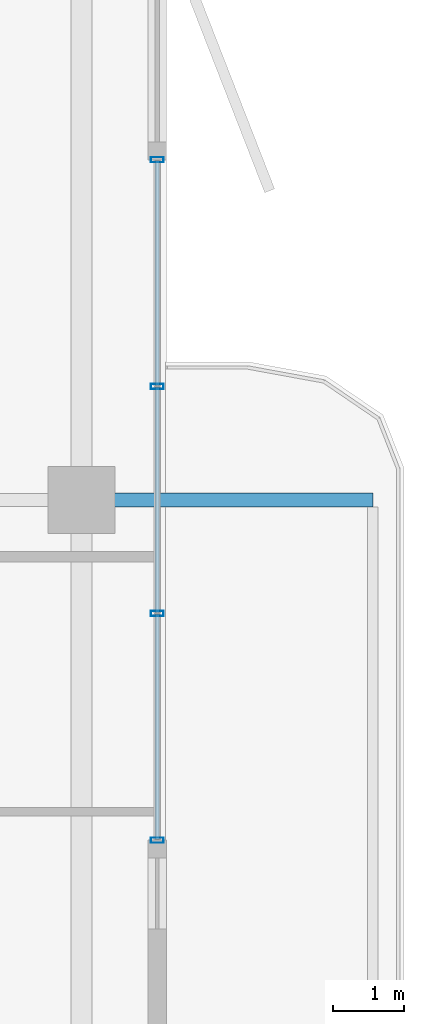
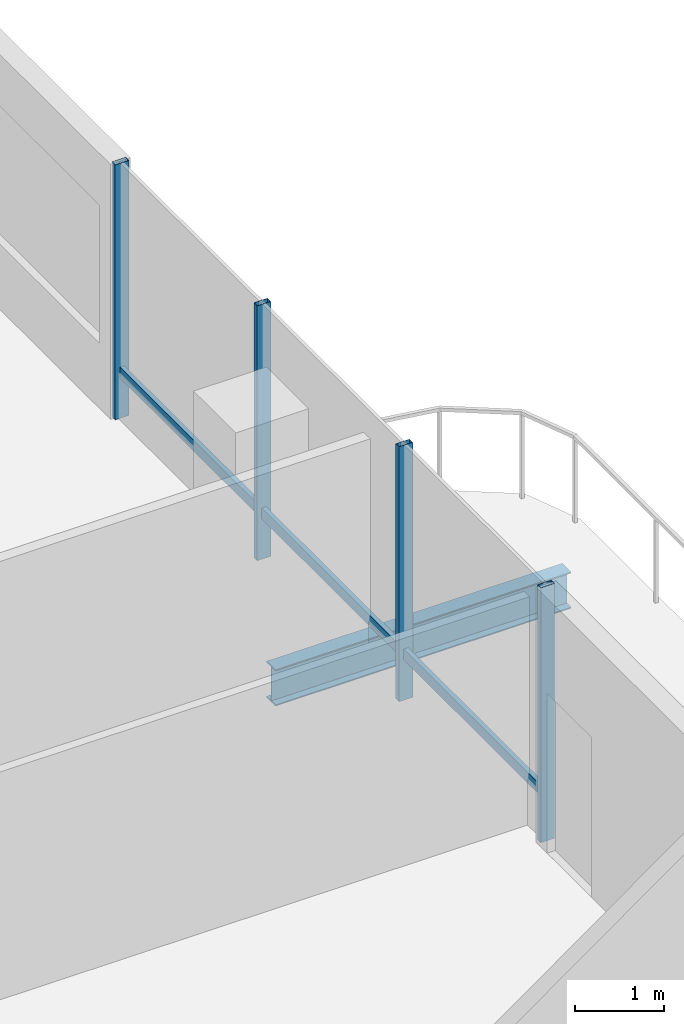
# One storey, part 8 of 17: 7 members, 1 beam, 1 element without a shape of its own.
"""IFC4 building model written with IfcOpenShell, lengths in metres."""

from ifc_helpers import new_model, si_unit, direction, frame, origin, origin_2d, place, context, subcontext, project, spatial, hollow_rectangle, i_section, extrude, material, layer, layer_set, material_profile, profile_set, type_object, element, aggregate, save


model = new_model("IFC4")

# Units and contexts
model_context = context("Model", 3, precision=1e-05, world=origin(), true_north=direction((0.0, 1.0)))
body_context = subcontext(model_context, "Body", "Model", "MODEL_VIEW")
ifc_project = project(units=[si_unit("LENGTHUNIT", "METRE"), si_unit("AREAUNIT", "SQUARE_METRE"), si_unit("VOLUMEUNIT", "CUBIC_METRE"), si_unit("PLANEANGLEUNIT", "RADIAN"), si_unit("MASSUNIT", "GRAM", prefix="KILO")], contexts=[model_context])

# Site, building, storey
site_placement = place(None, origin())
site = spatial("IfcSite", under=ifc_project, at=site_placement, CompositionType="ELEMENT")
building_placement = place(site_placement, origin())
building = spatial("IfcBuilding", under=site, at=building_placement, Name="Belovzor Exchange Tower", CompositionType="ELEMENT")
storey_placement = place(building_placement, frame((0.0, 0.0, 325.5)))
storey = spatial("IfcBuildingStorey", under=building, at=storey_placement, Name="L81", CompositionType="ELEMENT", Elevation=325.5)

# Beam
ifc_material_1 = material(Name="Steel S355", Category="steel")
ifc_material_profile_1 = material_profile(ifc_material_1, i_section(OverallWidth=0.199951171875, OverallDepth=0.5, WebThickness=0.01025390625, FlangeThickness=0.01611328125, at=origin_2d()))
ifc_profile_set_1 = profile_set([ifc_material_profile_1], Name="Steel S355")
beam_type = type_object("IfcBeamType", Name="Planted Balcony Cantilever Beam IPE 500", PredefinedType="BEAM", material=ifc_profile_set_1)
beam_placement = place(storey_placement, frame((50.660888671875, 28.800048828125, -0.489990234375), z_axis=(1.0, 0.0, 0.0), x_axis=(0.0, 1.0, 0.0)))
element("IfcBeam", 1, at=beam_placement, inside=storey, type_object=beam_type, Name="BC-500 Planted Balcony Cantilever Beam IPE 500", PredefinedType="BEAM", context=body_context, shape_type="SweptSolid", body=[
    extrude(i_section(OverallWidth=0.199951171875, OverallDepth=0.5, WebThickness=0.01025390625, FlangeThickness=0.01611328125, at=origin_2d()), origin(), (0.0, 0.0, 1.0), 3.85009765625),
])

# Curtain wall, members
ifc_material_2 = material(Name="Anodised Aluminium Framing", Category="aluminium")
ifc_layer = layer(ifc_material_2, 0.179931640625)
ifc_layer_set = layer_set([ifc_layer], Name="Anodised Aluminium Framing")
curtain_wall_type = type_object("IfcCurtainWallType", Name="Recessed Loggia Low-Iron Triple-Glazed Curtain Wall", PredefinedType="NOTDEFINED", material=ifc_layer_set)
curtain_wall_placement = place(storey_placement, origin())
curtain_wall = element("IfcCurtainWall", 2, at=curtain_wall_placement, inside=storey, type_object=curtain_wall_type, Name="CW3 Recessed Loggia Low-Iron Triple-Glazed Curtain Wall L81", PredefinedType="NOTDEFINED")
ifc_material_3 = material(Name="Steel S355", Category="steel")
ifc_material_profile_2 = material_profile(ifc_material_3, hollow_rectangle(XDim=0.074951171875, YDim=0.179931640625, WallThickness=0.0048828125, at=origin_2d()))
ifc_profile_set_2 = profile_set([ifc_material_profile_2], Name="Steel S355")
member_type_1 = type_object("IfcMemberType", Name="Thermally Broken Curtain Wall Mullion 180x75", PredefinedType="MULLION", material=ifc_profile_set_2)
member_1_placement = place(storey_placement, frame((51.469970703125, 33.60009765625, 0.0), z_axis=(0.0, 0.0, 1.0), x_axis=(0.0, -1.0, 0.0)))
member_1 = element("IfcMember", 3, at=member_1_placement, type_object=member_type_1, Name="CW-M180 Curtain Wall Mullion 1", PredefinedType="MULLION", context=body_context, shape_type="SweptSolid", body=[
    extrude(hollow_rectangle(XDim=0.074951171875, YDim=0.179931640625, WallThickness=0.0048828125, at=origin_2d()), origin(), (0.0, 0.0, 1.0), 3.510009765625),
])
member_2_placement = place(storey_placement, frame((51.469970703125, 30.39990234375, 0.0), z_axis=(0.0, 0.0, 1.0), x_axis=(0.0, -1.0, 0.0)))
member_2 = element("IfcMember", 4, at=member_2_placement, type_object=member_type_1, Name="CW-M180 Curtain Wall Mullion 2", PredefinedType="MULLION", context=body_context, shape_type="SweptSolid", body=[
    extrude(hollow_rectangle(XDim=0.074951171875, YDim=0.179931640625, WallThickness=0.0048828125, at=origin_2d()), origin(), (0.0, 0.0, 1.0), 3.510009765625),
])
member_3_placement = place(storey_placement, frame((51.469970703125, 27.199951171875, 0.0), z_axis=(0.0, 0.0, 1.0), x_axis=(0.0, -1.0, 0.0)))
member_3 = element("IfcMember", 5, at=member_3_placement, type_object=member_type_1, Name="CW-M180 Curtain Wall Mullion 3", PredefinedType="MULLION", context=body_context, shape_type="SweptSolid", body=[
    extrude(hollow_rectangle(XDim=0.074951171875, YDim=0.179931640625, WallThickness=0.0048828125, at=origin_2d()), origin(), (0.0, 0.0, 1.0), 3.510009765625),
])
member_4_placement = place(storey_placement, frame((51.469970703125, 24.0, 0.0), z_axis=(0.0, 0.0, 1.0), x_axis=(0.0, -1.0, 0.0)))
member_4 = element("IfcMember", 6, at=member_4_placement, type_object=member_type_1, Name="CW-M180 Curtain Wall Mullion 4", PredefinedType="MULLION", context=body_context, shape_type="SweptSolid", body=[
    extrude(hollow_rectangle(XDim=0.074951171875, YDim=0.179931640625, WallThickness=0.0048828125, at=origin_2d()), origin(), (0.0, 0.0, 1.0), 3.510009765625),
])
ifc_material_4 = material(Name="Steel S355", Category="steel")
ifc_material_profile_3 = material_profile(ifc_material_4, hollow_rectangle(XDim=0.06005859375, YDim=0.14990234375, WallThickness=0.00390625, at=origin_2d()))
ifc_profile_set_3 = profile_set([ifc_material_profile_3], Name="Steel S355")
member_type_2 = type_object("IfcMemberType", Name="Thermally Broken Curtain Wall Transom 150x60", PredefinedType="USERDEFINED", material=ifc_profile_set_3)
member_5_placement = place(storey_placement, frame((51.469970703125, 33.592041015625, 0.632080078125), z_axis=(0.0, -1.0, 0.0), x_axis=(1.0, 0.0, 0.0)))
member_5 = element("IfcMember", 7, at=member_5_placement, type_object=member_type_2, Name="CW-T150 Curtain Wall Transom 1", ObjectType="TRANSOM", PredefinedType="USERDEFINED", context=body_context, shape_type="SweptSolid", body=[
    extrude(hollow_rectangle(XDim=0.06005859375, YDim=0.14990234375, WallThickness=0.00390625, at=origin_2d()), origin(), (0.0, 0.0, 1.0), 3.18408203125),
])
member_6_placement = place(storey_placement, frame((51.469970703125, 30.39208984375, 0.632080078125), z_axis=(0.0, -1.0, 0.0), x_axis=(1.0, 0.0, 0.0)))
member_6 = element("IfcMember", 8, at=member_6_placement, type_object=member_type_2, Name="CW-T150 Curtain Wall Transom 2", ObjectType="TRANSOM", PredefinedType="USERDEFINED", context=body_context, shape_type="SweptSolid", body=[
    extrude(hollow_rectangle(XDim=0.06005859375, YDim=0.14990234375, WallThickness=0.00390625, at=origin_2d()), origin(), (0.0, 0.0, 1.0), 3.18408203125),
])
member_7_placement = place(storey_placement, frame((51.469970703125, 27.19189453125, 0.632080078125), z_axis=(0.0, -1.0, 0.0), x_axis=(1.0, 0.0, 0.0)))
member_7 = element("IfcMember", 9, at=member_7_placement, type_object=member_type_2, Name="CW-T150 Curtain Wall Transom 3", ObjectType="TRANSOM", PredefinedType="USERDEFINED", context=body_context, shape_type="SweptSolid", body=[
    extrude(hollow_rectangle(XDim=0.06005859375, YDim=0.14990234375, WallThickness=0.00390625, at=origin_2d()), origin(), (0.0, 0.0, 1.0), 3.183837890625),
])
aggregate(curtain_wall, [member_1, member_2, member_3, member_4, member_5, member_6, member_7])

save(model, "model.ifc")
